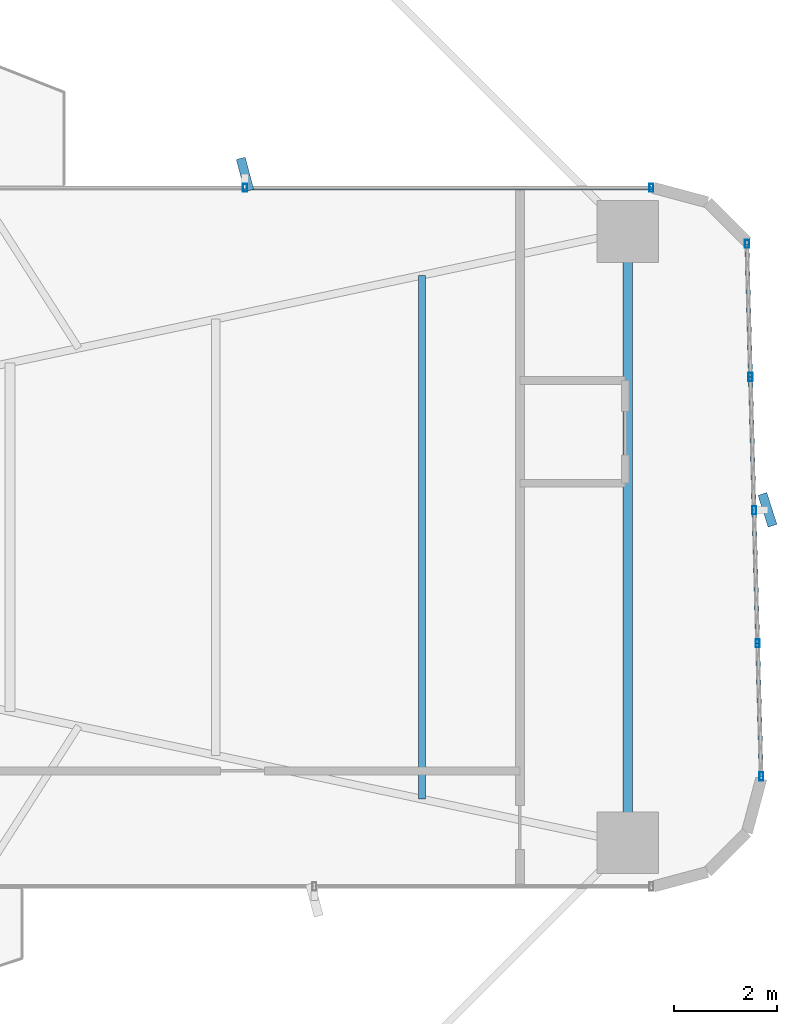
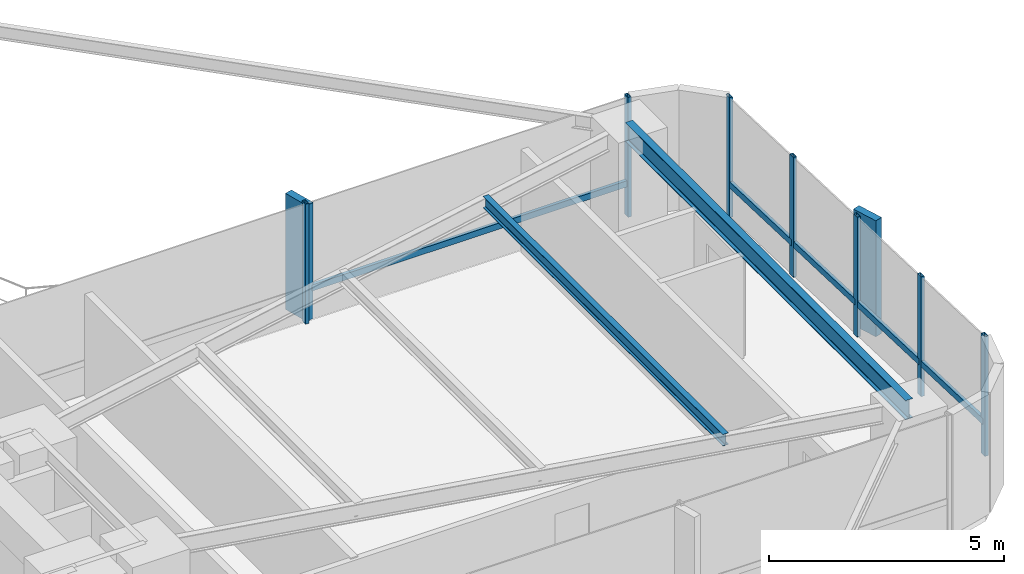
# One storey, part 16 of 25: 14 members, 2 beams, 2 elements without a shape of their own.
"""IFC4 building model written with IfcOpenShell, lengths in metres."""

from ifc_helpers import new_model, si_unit, direction, frame, origin, origin_2d, place, context, subcontext, project, spatial, rectangle, hollow_rectangle, i_section, extrude, source, transform, mapped, material, material_profile, profile_set, type_object, element, aggregate, save


model = new_model("IFC4")

# Units and contexts
model_context = context("Model", 3, precision=1e-05, world=origin(), true_north=direction((0.0, 1.0)))
body_context = subcontext(model_context, "Body", "Model", "MODEL_VIEW")
ifc_project = project(units=[si_unit("LENGTHUNIT", "METRE"), si_unit("AREAUNIT", "SQUARE_METRE"), si_unit("VOLUMEUNIT", "CUBIC_METRE"), si_unit("PLANEANGLEUNIT", "RADIAN"), si_unit("MASSUNIT", "GRAM", prefix="KILO")], contexts=[model_context])

# Site, building, storey
site_placement = place(None, origin())
site = spatial("IfcSite", under=ifc_project, at=site_placement, CompositionType="ELEMENT")
building_placement = place(site_placement, origin())
building = spatial("IfcBuilding", under=site, at=building_placement, Name="Sahyath Konkavel Grand Hotel", CompositionType="ELEMENT")
storey_placement = place(building_placement, frame((0.0, 0.0, 64.449951171875)))
storey = spatial("IfcBuildingStorey", under=building, at=storey_placement, Name="L17", CompositionType="ELEMENT", Elevation=64.449951171875)

# Beams
ifc_material_1 = material(Name="Steel E350", Category="steel")
ifc_material_profile_1 = material_profile(ifc_material_1, i_section(OverallWidth=0.179931640625, OverallDepth=0.5, WebThickness=0.01025390625, FlangeThickness=0.01708984375, FilletRadius=0.01708984375, at=origin_2d()), Name="ISMB 500")
ifc_profile_set_1 = profile_set([ifc_material_profile_1], Name="Steel E350")
beam_type_1 = type_object("IfcBeamType", Name="BM-ISMB500", PredefinedType="BEAM", material=ifc_profile_set_1)
shared_shape_1 = source(origin(), body_context, "Body", "SweptSolid", [
    extrude(i_section(OverallWidth=0.179931640625, OverallDepth=0.5, WebThickness=0.01025390625, FlangeThickness=0.01708984375, FilletRadius=0.01708984375, at=origin_2d()), origin(), (0.0, 0.0, 1.0), 11.89990234375),
])
beam_1_placement = place(storey_placement, frame((22.199951171875, -5.949951171875, 2.860107421875), z_axis=(0.0, 1.0, 0.0), x_axis=(-1.0, 0.0, 0.0)))
element("IfcBeam", 1, at=beam_1_placement, inside=storey, type_object=beam_type_1, Name="L17 Wing Tip Edge Beam E", PredefinedType="BEAM", context=body_context, shape_type="MappedRepresentation", body=[
    mapped(shared_shape_1, transform((0.0, 0.0, 0.0), scale=1.0)),
])
ifc_material_profile_2 = material_profile(ifc_material_1, i_section(OverallWidth=0.139892578125, OverallDepth=0.300048828125, WebThickness=0.0078125, FlangeThickness=0.01318359375, FilletRadius=0.013916015625, at=origin_2d()), Name="ISMB 300")
ifc_profile_set_2 = profile_set([ifc_material_profile_2], Name="Steel E350")
beam_type_2 = type_object("IfcBeamType", Name="BM-ISMB300", PredefinedType="BEAM", material=ifc_profile_set_2)
shared_shape_2 = source(origin(), body_context, "Body", "SweptSolid", [
    extrude(i_section(OverallWidth=0.139892578125, OverallDepth=0.300048828125, WebThickness=0.0078125, FlangeThickness=0.01318359375, FilletRadius=0.013916015625, at=origin_2d()), origin(), (0.0, 0.0, 1.0), 10.19580078125),
])
beam_2_placement = place(storey_placement, frame((18.19189453125, -5.097900390625, 2.9599609375), z_axis=(0.0, 1.0, 0.0), x_axis=(-1.0, 0.0, 0.0)))
element("IfcBeam", 2, at=beam_2_placement, inside=storey, type_object=beam_type_2, Name="L17 Secondary Floor Beam E-3", PredefinedType="BEAM", context=body_context, shape_type="MappedRepresentation", body=[
    mapped(shared_shape_2, transform((0.0, 0.0, 0.0), scale=1.0)),
])

# Curtain wall, member
ifc_material_2 = material(Name="Anodised Bronze Aluminium & Low-E Glazing", Category="aluminium")
curtain_wall_type = type_object("IfcCurtainWallType", Name="CW-ZONE1", PredefinedType="NOTDEFINED", material=ifc_material_2)
curtain_wall_1_placement = place(storey_placement, origin())
curtain_wall_1 = element("IfcCurtainWall", 3, at=curtain_wall_1_placement, inside=storey, type_object=curtain_wall_type, Name="L17 Unitised Curtain Wall F4", PredefinedType="NOTDEFINED")
ifc_material_3 = material(Name="Warm Buff Sandstone Cladding on Concrete C50/60", Category="masonry")
ifc_material_profile_3 = material_profile(ifc_material_3, rectangle(XDim=0.179931640625, YDim=0.64990234375, at=origin_2d()), Name="FIN 180x650")
ifc_profile_set_3 = profile_set([ifc_material_profile_3], Name="Warm Buff Sandstone Cladding on Concrete C50/60")
member_type_1 = type_object("IfcMemberType", Name="FIN-SANDSTONE-650", PredefinedType="MULLION", material=ifc_profile_set_3)
shared_shape_3 = source(origin(), body_context, "Body", "SweptSolid", [
    extrude(rectangle(XDim=0.179931640625, YDim=0.64990234375, at=origin_2d()), origin(), (0.0, 0.0, 1.0), 3.010009765625),
])
member_1_placement = place(storey_placement, frame((24.919189453125, 0.531982421875, 0.050048828125), z_axis=(0.0, 0.0, 1.0), x_axis=(0.952767550771, 0.303700500819, 0.0)))
member_1 = element("IfcMember", 4, at=member_1_placement, type_object=member_type_1, Name="L17 Sandstone Vertical Solar Fin FIN F4-2", PredefinedType="MULLION", context=body_context, shape_type="MappedRepresentation", body=[
    mapped(shared_shape_3, transform((0.0, 0.0, 0.0), scale=1.0)),
])

# Curtain wall, members
curtain_wall_2_placement = place(storey_placement, origin())
curtain_wall_2 = element("IfcCurtainWall", 5, at=curtain_wall_2_placement, inside=storey, type_object=curtain_wall_type, Name="L17 Unitised Curtain Wall F7", PredefinedType="NOTDEFINED")
member_2_placement = place(storey_placement, frame((14.75, 7.06005859375, 0.050048828125), z_axis=(0.0, 0.0, 1.0), x_axis=(0.966420942741, 0.256964124795, 0.0)))
member_2 = element("IfcMember", 6, at=member_2_placement, type_object=member_type_1, Name="L17 Sandstone Vertical Solar Fin FIN F7-1", PredefinedType="MULLION", context=body_context, shape_type="MappedRepresentation", body=[
    mapped(shared_shape_3, transform((0.0, 0.0, 0.0), scale=1.0)),
])
ifc_material_4 = material(Name="Anodised Bronze Aluminium", Category="aluminium")
ifc_material_profile_4 = material_profile(ifc_material_4, hollow_rectangle(XDim=0.080078125, YDim=0.159912109375, WallThickness=0.006103515625, at=origin_2d()), Name="RHS 160x80x6")
ifc_profile_set_4 = profile_set([ifc_material_profile_4], Name="Anodised Bronze Aluminium")
member_type_2 = type_object("IfcMemberType", Name="CW-TRN-160", PredefinedType="USERDEFINED", material=ifc_profile_set_4)
shared_shape_4 = source(origin(), body_context, "Body", "SweptSolid", [
    extrude(hollow_rectangle(XDim=0.080078125, YDim=0.159912109375, WallThickness=0.006103515625, at=origin_2d()), origin(), (0.0, 0.0, 1.0), 7.909912109375),
])
member_3_placement = place(storey_placement, frame((22.659912109375, 6.800048828125, 0.85009765625), z_axis=(-1.0, 0.0, 0.0), x_axis=(0.0, -1.0, 0.0)))
member_3 = element("IfcMember", 7, at=member_3_placement, type_object=member_type_2, Name="L17 Curtain Wall Transom F7-0-spandrel", ObjectType="TRANSOM", PredefinedType="USERDEFINED", context=body_context, shape_type="MappedRepresentation", body=[
    mapped(shared_shape_4, transform((0.0, 0.0, 0.0), scale=1.0)),
])

# Member
shared_shape_5 = source(origin(), body_context, "Body", "SweptSolid", [
    extrude(hollow_rectangle(XDim=0.080078125, YDim=0.159912109375, WallThickness=0.006103515625, at=origin_2d()), origin(), (0.0, 0.0, 1.0), 2.593505859375),
])
member_4_placement = place(storey_placement, frame((24.798828125, -4.659912109375, 0.85009765625), z_axis=(-0.026923093252, 0.999637507825, 0.0), x_axis=(-0.999637507825, -0.026923093252, 0.0)))
member_4 = element("IfcMember", 8, at=member_4_placement, type_object=member_type_2, Name="L17 Curtain Wall Transom F4-0-spandrel", ObjectType="TRANSOM", PredefinedType="USERDEFINED", context=body_context, shape_type="MappedRepresentation", body=[
    mapped(shared_shape_5, transform((0.0, 0.0, 0.0), scale=1.0)),
])

member_5_placement = place(storey_placement, frame((24.6591796875, 0.52490234375, 0.85009765625), z_axis=(-0.02682902444, 0.999640036937, 0.0), x_axis=(-0.999640036937, -0.02682902444, 0.0)))
member_5 = element("IfcMember", 9, at=member_5_placement, type_object=member_type_2, Name="L17 Curtain Wall Transom F4-2-spandrel", ObjectType="TRANSOM", PredefinedType="USERDEFINED", context=body_context, shape_type="MappedRepresentation", body=[
    mapped(shared_shape_5, transform((0.0, 0.0, 0.0), scale=1.0)),
])

member_6_placement = place(storey_placement, frame((24.589599609375, 3.117431640625, 0.85009765625), z_axis=(-0.026923093252, 0.999637507825, 0.0), x_axis=(-0.999637507825, -0.026923093252, 0.0)))
member_6 = element("IfcMember", 10, at=member_6_placement, type_object=member_type_2, Name="L17 Curtain Wall Transom F4-3-spandrel", ObjectType="TRANSOM", PredefinedType="USERDEFINED", context=body_context, shape_type="MappedRepresentation", body=[
    mapped(shared_shape_5, transform((0.0, 0.0, 0.0), scale=1.0)),
])

shared_shape_6 = source(origin(), body_context, "Body", "SweptSolid", [
    extrude(hollow_rectangle(XDim=0.080078125, YDim=0.159912109375, WallThickness=0.006103515625, at=origin_2d()), origin(), (0.0, 0.0, 1.0), 2.59326171875),
])
member_7_placement = place(storey_placement, frame((24.72900390625, -2.0673828125, 0.85009765625), z_axis=(-0.026925627022, 0.99963743958, 0.0), x_axis=(-0.99963743958, -0.026925627022, 0.0)))
member_7 = element("IfcMember", 11, at=member_7_placement, type_object=member_type_2, Name="L17 Curtain Wall Transom F4-1-spandrel", ObjectType="TRANSOM", PredefinedType="USERDEFINED", context=body_context, shape_type="MappedRepresentation", body=[
    mapped(shared_shape_6, transform((0.0, 0.0, 0.0), scale=1.0)),
])

ifc_material_profile_5 = material_profile(ifc_material_4, hollow_rectangle(XDim=0.080078125, YDim=0.159912109375, WallThickness=0.006103515625, at=origin_2d()), Name="RHS 160x80x6")
ifc_profile_set_5 = profile_set([ifc_material_profile_5], Name="Anodised Bronze Aluminium")
member_type_3 = type_object("IfcMemberType", Name="CW-MUL-160", PredefinedType="MULLION", material=ifc_profile_set_5)
shared_shape_7 = source(origin(), body_context, "Body", "SweptSolid", [
    extrude(hollow_rectangle(XDim=0.080078125, YDim=0.159912109375, WallThickness=0.006103515625, at=origin_2d()), origin(), (0.0, 0.0, 1.0), 3.110107421875),
])
member_8_placement = place(storey_placement, frame((24.798828125, -4.659912109375, 0.0), z_axis=(0.0, 0.0, 1.0), x_axis=(1.0, 0.0, 0.0)))
member_8 = element("IfcMember", 12, at=member_8_placement, type_object=member_type_3, Name="L17 Curtain Wall Mullion F4-0", PredefinedType="MULLION", context=body_context, shape_type="MappedRepresentation", body=[
    mapped(shared_shape_7, transform((0.0, 0.0, 0.0), scale=1.0)),
])

member_9_placement = place(storey_placement, frame((24.72900390625, -2.0673828125, 0.0), z_axis=(0.0, 0.0, 1.0), x_axis=(1.0, 0.0, 0.0)))
member_9 = element("IfcMember", 13, at=member_9_placement, type_object=member_type_3, Name="L17 Curtain Wall Mullion F4-1", PredefinedType="MULLION", context=body_context, shape_type="MappedRepresentation", body=[
    mapped(shared_shape_7, transform((0.0, 0.0, 0.0), scale=1.0)),
])

member_10_placement = place(storey_placement, frame((24.6591796875, 0.52490234375, 0.0), z_axis=(0.0, 0.0, 1.0), x_axis=(1.0, 0.0, 0.0)))
member_10 = element("IfcMember", 14, at=member_10_placement, type_object=member_type_3, Name="L17 Curtain Wall Mullion F4-2", PredefinedType="MULLION", context=body_context, shape_type="MappedRepresentation", body=[
    mapped(shared_shape_7, transform((0.0, 0.0, 0.0), scale=1.0)),
])

member_11_placement = place(storey_placement, frame((24.589599609375, 3.117431640625, 0.0), z_axis=(0.0, 0.0, 1.0), x_axis=(1.0, 0.0, 0.0)))
member_11 = element("IfcMember", 15, at=member_11_placement, type_object=member_type_3, Name="L17 Curtain Wall Mullion F4-3", PredefinedType="MULLION", context=body_context, shape_type="MappedRepresentation", body=[
    mapped(shared_shape_7, transform((0.0, 0.0, 0.0), scale=1.0)),
])

member_12_placement = place(storey_placement, frame((24.519775390625, 5.7099609375, 0.0), z_axis=(0.0, 0.0, 1.0), x_axis=(1.0, 0.0, 0.0)))
member_12 = element("IfcMember", 16, at=member_12_placement, type_object=member_type_3, Name="L17 Curtain Wall Mullion F4-4", PredefinedType="MULLION", context=body_context, shape_type="MappedRepresentation", body=[
    mapped(shared_shape_7, transform((0.0, 0.0, 0.0), scale=1.0)),
])

aggregate(curtain_wall_1, [member_8, member_9, member_10, member_1, member_11, member_12, member_4, member_7, member_5, member_6])

member_13_placement = place(storey_placement, frame((22.659912109375, 6.800048828125, 0.0), z_axis=(0.0, 0.0, 1.0), x_axis=(1.0, 0.0, 0.0)))
member_13 = element("IfcMember", 17, at=member_13_placement, type_object=member_type_3, Name="L17 Curtain Wall Mullion F7-0", PredefinedType="MULLION", context=body_context, shape_type="MappedRepresentation", body=[
    mapped(shared_shape_7, transform((0.0, 0.0, 0.0), scale=1.0)),
])

member_14_placement = place(storey_placement, frame((14.75, 6.800048828125, 0.0), z_axis=(0.0, 0.0, 1.0), x_axis=(1.0, 0.0, 0.0)))
member_14 = element("IfcMember", 18, at=member_14_placement, type_object=member_type_3, Name="L17 Curtain Wall Mullion F7-1", PredefinedType="MULLION", context=body_context, shape_type="MappedRepresentation", body=[
    mapped(shared_shape_7, transform((0.0, 0.0, 0.0), scale=1.0)),
])

aggregate(curtain_wall_2, [member_13, member_14, member_2, member_3])

save(model, "model.ifc")
